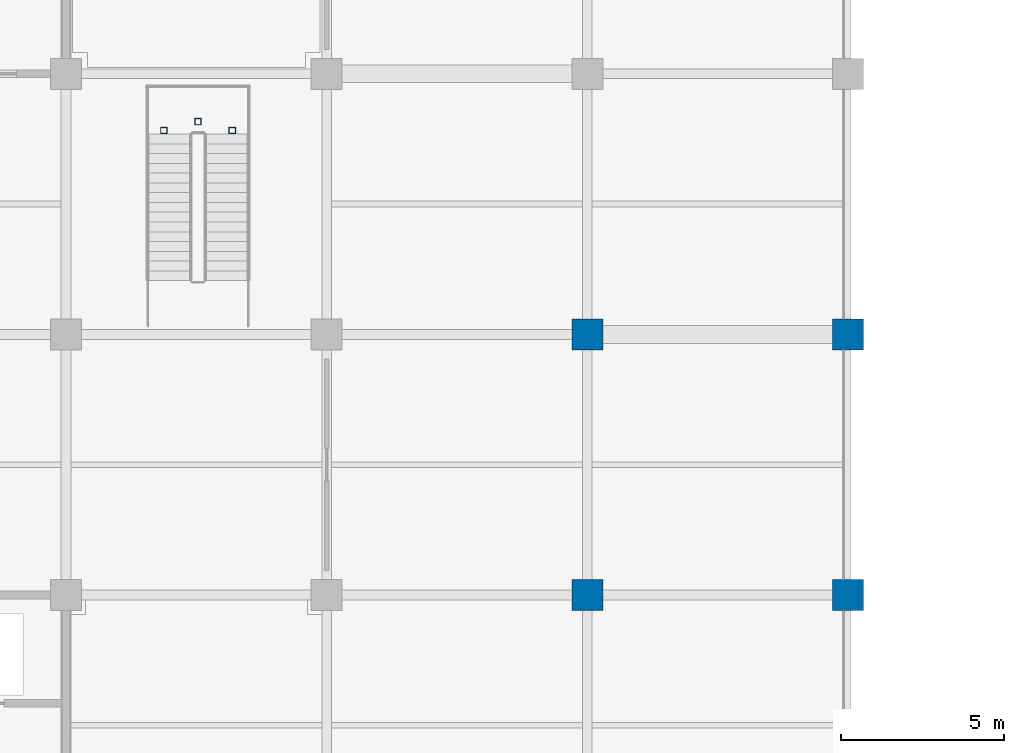
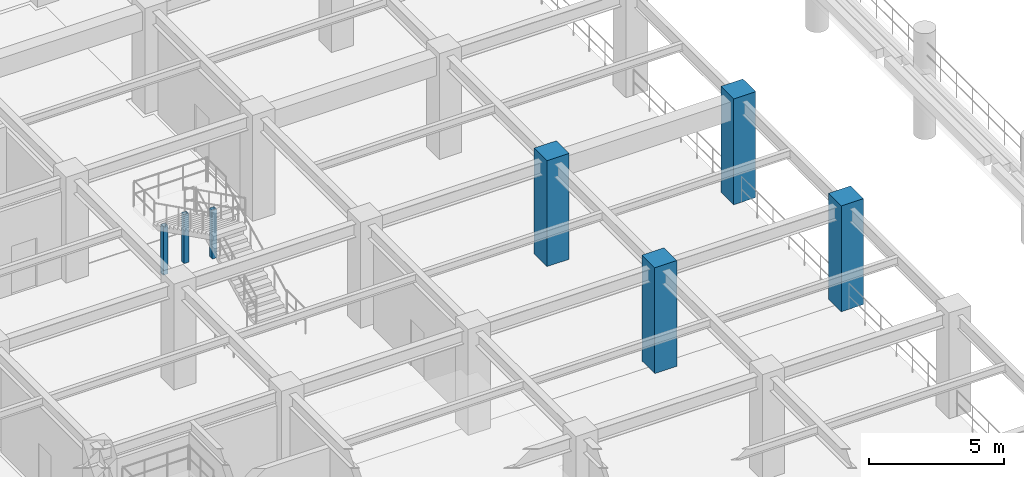
# One storey, part 2 of 109: 7 columns.
"""IFC4 building model written with IfcOpenShell, lengths in metres."""

from ifc_helpers import new_model, si_unit, direction, frame, origin, origin_2d, place, context, subcontext, project, spatial, rectangle, hollow_rectangle, extrude, material, material_profile, profile_set, type_object, element, save


model = new_model("IFC4")

# Units and contexts
model_context = context("Model", 3, precision=1e-05, world=origin(), true_north=direction((0.0, 1.0)))
body_context = subcontext(model_context, "Body", "Model", "MODEL_VIEW")
ifc_project = project(units=[si_unit("LENGTHUNIT", "METRE"), si_unit("AREAUNIT", "SQUARE_METRE"), si_unit("VOLUMEUNIT", "CUBIC_METRE"), si_unit("PLANEANGLEUNIT", "RADIAN"), si_unit("MASSUNIT", "GRAM", prefix="KILO")], contexts=[model_context])

# Site, building, storey
site_placement = place(None, origin())
site = spatial("IfcSite", under=ifc_project, at=site_placement, CompositionType="ELEMENT")
building_placement = place(site_placement, origin())
building = spatial("IfcBuilding", under=site, at=building_placement, Name="Haebicheon Civic Stadium", CompositionType="ELEMENT")
storey_placement = place(building_placement, frame((0.0, 0.0, 9.60009765625)))
storey = spatial("IfcBuildingStorey", under=building, at=storey_placement, Name="L03", CompositionType="ELEMENT", Elevation=9.60009765625)

# Columns
ifc_material_1 = material(Name="Concrete C40/50", Category="concrete")
ifc_material_profile_1 = material_profile(ifc_material_1, rectangle(XDim=0.949951171875, YDim=0.949951171875, at=origin_2d()), Name="RC-COL-950x950")
ifc_profile_set_1 = profile_set([ifc_material_profile_1], Name="Concrete C40/50")
column_type_1 = type_object("IfcColumnType", Name="COL-RC-950", PredefinedType="COLUMN", material=ifc_profile_set_1)
for number, where, z_axis, x_axis, name in (
    (1, (56.0, 64.0, 0.0), (0.0, 0.0, 1.0), (1.0, 0.0, 0.0), "L03 column 8/J"),
    (2, (56.0, 72.0, 0.0), (0.0, 0.0, 1.0), (1.0, 0.0, 0.0), "L03 column 8/K"),
    (3, (64.0, 64.0, 0.0), (0.0, 0.0, 1.0), (1.0, 0.0, 0.0), "L03 column 9/J"),
    (4, (64.0, 72.0, 0.0), (0.0, 0.0, 1.0), (1.0, 0.0, 0.0), "L03 column 9/K"),
):
    element("IfcColumn", number, at=place(storey_placement, frame(where, z_axis=z_axis, x_axis=x_axis)), inside=storey, type_object=column_type_1, material=ifc_profile_set_1, Name=name, PredefinedType="COLUMN", context=body_context, shape_type="SweptSolid", body=[
        extrude(rectangle(XDim=0.949951171875, YDim=0.949951171875, at=origin_2d()), origin(), (0.0, 0.0, 1.0), 4.7998046875),
    ])
ifc_material_2 = material(Name="Steel SM355 (S355)", Category="steel")
ifc_material_profile_2 = material_profile(ifc_material_2, hollow_rectangle(XDim=0.199951171875, YDim=0.199951171875, WallThickness=0.009033203125, at=origin_2d()), Name="RHS-200x200x9.0")
ifc_profile_set_2 = profile_set([ifc_material_profile_2], Name="Steel SM355 (S355)")
column_type_2 = type_object("IfcColumnType", Name="COL-ST-RHS200", PredefinedType="COLUMN", material=ifc_profile_set_2)
for number, where, z_axis, x_axis, name in (
    (5, (43.0, 78.260009765625, 0.0), (0.0, 0.0, 1.0), (1.0, 0.0, 0.0), "VM-04 L03 vomitory landing support post A"),
    (6, (45.10009765625, 78.260009765625, 0.0), (0.0, 0.0, 1.0), (1.0, 0.0, 0.0), "VM-04 L03 vomitory landing support post B"),
    (7, (44.050048828125, 78.530029296875, 0.0), (0.0, 0.0, 1.0), (1.0, 0.0, 0.0), "VM-04 L03 vomitory landing support post C"),
):
    element("IfcColumn", number, at=place(storey_placement, frame(where, z_axis=z_axis, x_axis=x_axis)), inside=storey, type_object=column_type_2, material=ifc_profile_set_2, Name=name, PredefinedType="COLUMN", context=body_context, shape_type="SweptSolid", body=[
        extrude(hollow_rectangle(XDim=0.199951171875, YDim=0.199951171875, WallThickness=0.009033203125, at=origin_2d()), origin(), (0.0, 0.0, 1.0), 2.199951171875),
    ])

save(model, "model.ifc")
